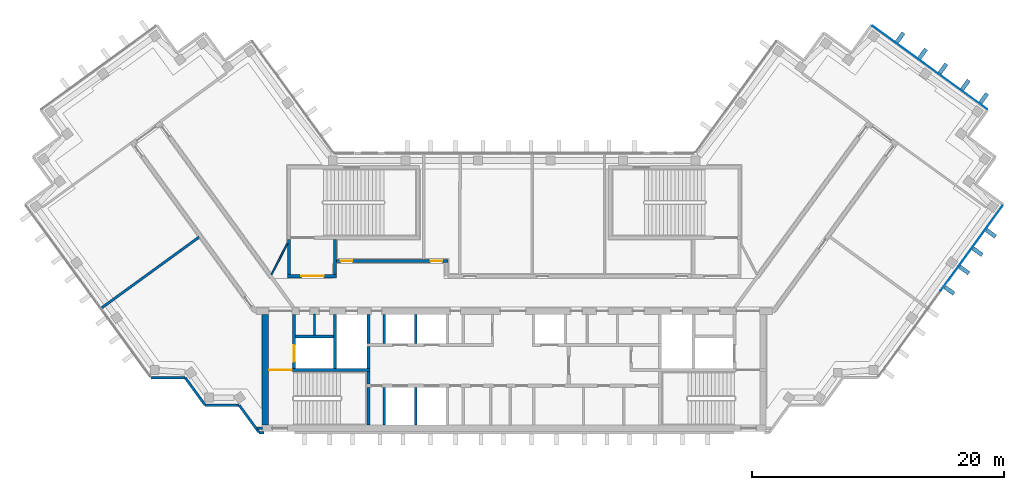
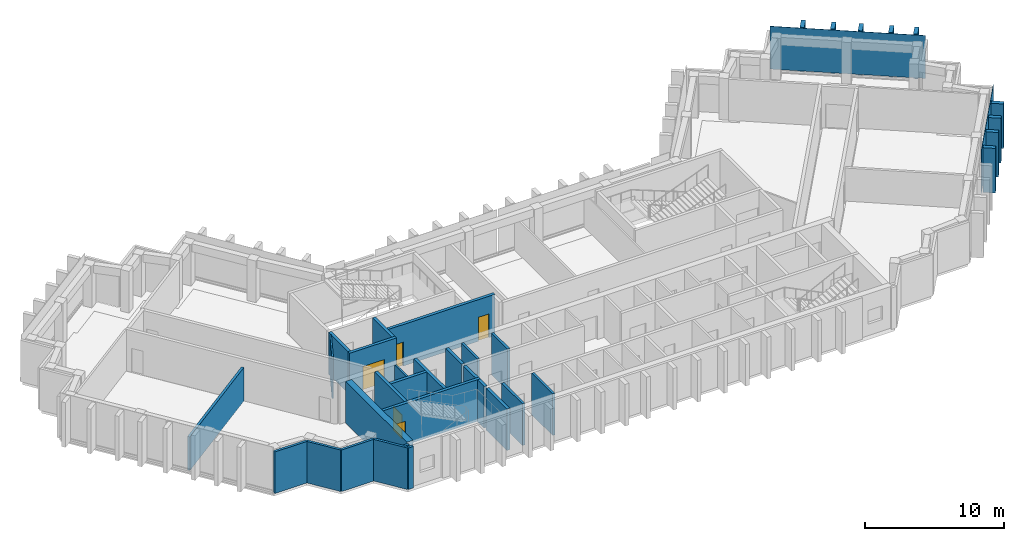
"""IFC4 building model written with IfcOpenShell, lengths in metres."""

import ifcopenshell
import ifcopenshell.guid

model = None  # the IFC model being written
_history = None  # IfcOwnerHistory: only IFC2X3 demands one
_inside = {}  # id of a spatial element -> (the spatial element, [elements in it])
_under = {}  # id of a project, library or spatial element -> (it, [spatial elements below it])
_declared = {}  # id of a project -> (the project, [libraries it declares])
_typed = {}  # id of a type object -> (the type object, [elements of that type])
_made_of = {}  # id of a material, layer set ... -> (it, [elements and type objects made of it])


def new_model(schema):
    """Start an empty IFC model of exactly this schema.

    Asked for "IFC4X3", IfcOpenShell would pick the latest addendum, in which some entities
    have other attributes; the version numbers below select the first issue.
    IFC2X3 requires an IfcOwnerHistory on every rooted entity: one is made here for all.
    """
    global model, _history
    if schema == "IFC4X3":
        model = ifcopenshell.file(schema_version=(4, 3, 0, 0))
    else:
        model = ifcopenshell.file(schema=schema)
    _inside.clear()
    _under.clear()
    _declared.clear()
    _typed.clear()
    _made_of.clear()
    _history = None
    if model.schema == "IFC2X3":
        org = make("IfcOrganization", Name="unknown")
        user = make(
            "IfcPersonAndOrganization",
            ThePerson=make("IfcPerson", FamilyName="unknown"),
            TheOrganization=org,
        )
        app = make(
            "IfcApplication",
            ApplicationDeveloper=org,
            Version="unknown",
            ApplicationFullName="unknown",
            ApplicationIdentifier="unknown",
        )
        _history = make(
            "IfcOwnerHistory",
            OwningUser=user,
            OwningApplication=app,
            ChangeAction="ADDED",
            CreationDate=0,
        )
    return model


def make(cls, **values):
    """One entity of the class cls with the attributes given. An attribute that is None is left unset."""
    return model.create_entity(
        cls, **{name: value for name, value in values.items() if value is not None}
    )


def rooted(cls, **values):
    """An entity with a GlobalId (a new one), such as an element, a storey or a relation."""
    return make(cls, GlobalId=ifcopenshell.guid.new(), OwnerHistory=_history, **values)


def si_unit(unit_type, name, prefix=None):
    """IfcSIUnit, for example si_unit("LENGTHUNIT", "METRE", prefix="MILLI")."""
    return make("IfcSIUnit", UnitType=unit_type, Prefix=prefix, Name=name)


def assignment(units):
    """IfcUnitAssignment: the units of a project."""
    return None if units is None else make("IfcUnitAssignment", Units=units)


def point(xyz):
    """IfcCartesianPoint."""
    return None if xyz is None else make("IfcCartesianPoint", Coordinates=xyz)


def direction(xyz):
    """IfcDirection."""
    return None if xyz is None else make("IfcDirection", DirectionRatios=xyz)


def frame(location, z_axis=None, x_axis=None):
    """IfcAxis2Placement3D, a coordinate frame: its origin and axes. An axis left out is left unset."""
    return make(
        "IfcAxis2Placement3D",
        Location=point(location),
        Axis=direction(z_axis),
        RefDirection=direction(x_axis),
    )


def frame_2d(location, x_axis=None):
    """IfcAxis2Placement2D, a coordinate frame in the plane: its origin and x axis."""
    return make(
        "IfcAxis2Placement2D", Location=point(location), RefDirection=direction(x_axis)
    )


def origin():
    """The frame at (0, 0, 0) with its axes left unset."""
    return frame((0.0, 0.0, 0.0))


def origin_2d():
    """The frame at (0, 0) in the plane with its x axis left unset."""
    return frame_2d((0.0, 0.0))


def place(relative_to, where):
    """IfcLocalPlacement: puts the frame where relative to a parent placement (None: the world)."""
    return make(
        "IfcLocalPlacement", PlacementRelTo=relative_to, RelativePlacement=where
    )


def context(
    kind, dimensions, precision=None, world=None, true_north=None, identifier=None
):
    """IfcGeometricRepresentationContext, for example the 3D "Model" context."""
    return make(
        "IfcGeometricRepresentationContext",
        ContextIdentifier=identifier,
        ContextType=kind,
        CoordinateSpaceDimension=dimensions,
        Precision=precision,
        WorldCoordinateSystem=world,
        TrueNorth=true_north,
    )


def subcontext(parent, identifier, kind, view, scale=None):
    """IfcGeometricRepresentationSubContext, for example "Body" below "Model"."""
    return make(
        "IfcGeometricRepresentationSubContext",
        ContextIdentifier=identifier,
        ContextType=kind,
        ParentContext=parent,
        TargetScale=scale,
        TargetView=view,
    )


def project(units=None, contexts=None):
    """IfcProject with its units and contexts."""
    return rooted(
        "IfcProject",
        Name="project",
        RepresentationContexts=contexts,
        UnitsInContext=assignment(units),
    )


def spatial(cls, under=None, at=None, **own):
    """A site, building, storey or space (cls), placed at a placement, below another one or the project."""
    s = rooted(cls, ObjectPlacement=at, **own)
    if under is not None:
        _under.setdefault(under.id(), (under, []))[1].append(s)
    return s


def profile(cls, at=None, kind="AREA", **sizes):
    """A parametric profile (cls). Its sizes go by their IFC names, for example OverallWidth=200.0."""
    return make(cls, ProfileType=kind, Position=at, **sizes)


def rectangle(**sizes):
    """IfcRectangleProfileDef."""
    return profile("IfcRectangleProfileDef", **sizes)


def extrude(swept, where, along, depth):
    """IfcExtrudedAreaSolid: the profile swept, set in the frame where, extruded along a direction by depth."""
    return make(
        "IfcExtrudedAreaSolid",
        SweptArea=swept,
        Position=where,
        ExtrudedDirection=direction(along),
        Depth=depth,
    )


def shape(context_of_items, identifier, shape_type, items):
    """IfcShapeRepresentation: the items that make up one representation, for example the "Body"."""
    return make(
        "IfcShapeRepresentation",
        ContextOfItems=context_of_items,
        RepresentationIdentifier=identifier,
        RepresentationType=shape_type,
        Items=items,
    )


def material(Name=None, Category=None):
    """IfcMaterial."""
    return make("IfcMaterial", Name=Name, Category=Category)


def layer(
    of_material, thickness, ventilated=None, Name=None, Category=None, Priority=None
):
    """IfcMaterialLayer: one layer of a wall or slab, of a material (None: an air gap)."""
    return make(
        "IfcMaterialLayer",
        Material=of_material,
        LayerThickness=thickness,
        IsVentilated=ventilated,
        Name=Name,
        Category=Category,
        Priority=Priority,
    )


def layer_set(layers, Name=None):
    """IfcMaterialLayerSet."""
    return make("IfcMaterialLayerSet", MaterialLayers=layers, LayerSetName=Name)


def made_of(thing, what):
    """Note that an element or type object is made of a material, layer set ...; save() writes the relation."""
    if what is not None:
        _made_of.setdefault(what.id(), (what, []))[1].append(thing)
    return thing


def type_object(cls, material=None, **own):
    """A type object (cls), such as IfcWallType, which elements share."""
    return made_of(rooted(cls, **own), material)


def element(
    cls,
    number,
    at=None,
    inside=None,
    cuts=None,
    type_object=None,
    material=None,
    context=None,
    identifier="Body",
    shape_type=None,
    held_by="IfcProductDefinitionShape",
    body=None,
    shapes=None,
    **own,
):
    """One element of the class cls, such as IfcWall. Its Tag is "e" and its number.

    at: its placement. inside: the storey or other place that contains it. cuts: it is an
    opening in that element (IfcRelVoidsElement). A single representation is given by context,
    identifier, shape_type and body (its items); several are given by shapes. held_by: the class
    of the entity that holds the representations. save() writes the other relations.
    """
    e = rooted(cls, Tag="e%d" % number, ObjectPlacement=at, **own)
    if body is not None:
        shapes = [shape(context, identifier, shape_type, body)]
    if shapes is not None:
        e.Representation = make(held_by, Representations=shapes)
    if inside is not None:
        _inside.setdefault(inside.id(), (inside, []))[1].append(e)
    if cuts is not None:
        rooted(
            "IfcRelVoidsElement", RelatingBuildingElement=cuts, RelatedOpeningElement=e
        )
    if type_object is not None:
        _typed.setdefault(type_object.id(), (type_object, []))[1].append(e)
    return made_of(e, material)


def fill(opening, filler):
    """IfcRelFillsElement: the door or window that sits in an opening."""
    return rooted(
        "IfcRelFillsElement",
        RelatingOpeningElement=opening,
        RelatedBuildingElement=filler,
    )


def aggregate(whole, parts):
    """IfcRelAggregates: a whole, such as a stair, and the parts it consists of."""
    return rooted("IfcRelAggregates", RelatingObject=whole, RelatedObjects=parts)


def save(model, path):
    """Write the relations noted so far, then the file.

    IfcRelAggregates (storeys below a building ...), IfcRelContainedInSpatialStructure (elements
    in a storey), IfcRelDefinesByType, IfcRelAssociatesMaterial and IfcRelDeclares: one each for
    every whole, place, type object, material and project.
    """
    for whole, parts in _under.values():
        aggregate(whole, parts)
    for where, things in _inside.values():
        rooted(
            "IfcRelContainedInSpatialStructure",
            RelatedElements=things,
            RelatingStructure=where,
        )
    for kind, things in _typed.values():
        rooted("IfcRelDefinesByType", RelatedObjects=things, RelatingType=kind)
    for what, things in _made_of.values():
        rooted("IfcRelAssociatesMaterial", RelatedObjects=things, RelatingMaterial=what)
    for by, libraries in _declared.values():
        rooted("IfcRelDeclares", RelatingContext=by, RelatedDefinitions=libraries)
    model.write(path)


model = new_model("IFC4")

# Units and contexts
model_context = context("Model", 3, precision=1e-05, world=origin(), true_north=direction((0.0, 1.0)))
body_context = subcontext(model_context, "Body", "Model", "MODEL_VIEW")
ifc_project = project(units=[si_unit("LENGTHUNIT", "METRE"), si_unit("AREAUNIT", "SQUARE_METRE"), si_unit("VOLUMEUNIT", "CUBIC_METRE"), si_unit("PLANEANGLEUNIT", "RADIAN"), si_unit("MASSUNIT", "GRAM", prefix="KILO")], contexts=[model_context])

# Site, building, storey
site_placement = place(None, origin())
site = spatial("IfcSite", under=ifc_project, at=site_placement, CompositionType="ELEMENT")
building_placement = place(site_placement, origin())
building = spatial("IfcBuilding", under=site, at=building_placement, Name="Quipu Civic Tower", CompositionType="ELEMENT")
storey_1_placement = place(building_placement, frame((0.0, 0.0, 327.0)))
storey_1 = spatial("IfcBuildingStorey", under=building, at=storey_1_placement, Name="L76", CompositionType="ELEMENT", Elevation=327.0)

# Curtain wall
ifc_material_1 = material(Name="Insulated glass unit", Category="glass")
curtain_wall_type = type_object("IfcCurtainWallType", Name="Office curtain wall CW1", PredefinedType="NOTDEFINED", material=ifc_material_1)
curtain_wall_1_placement = place(storey_1_placement, origin())
curtain_wall_1 = element("IfcCurtainWall", 1, at=curtain_wall_1_placement, inside=storey_1, type_object=curtain_wall_type, Name="Office curtain wall CW1 L75 run 4", PredefinedType="NOTDEFINED")

# Storey
storey_2_placement = place(building_placement, frame((0.0, 0.0, 331.0)))
storey_2 = spatial("IfcBuildingStorey", under=building, at=storey_2_placement, Name="L77", CompositionType="ELEMENT", Elevation=331.0)

# Plate
ifc_material_2 = material(Name="Insulated glass unit", Category="glass")
ifc_layer_1 = layer(ifc_material_2, 0.028076171875)
ifc_layer_set_1 = layer_set([ifc_layer_1], Name="Insulated glass unit")
plate_type_1 = type_object("IfcPlateType", Name="Glass panel CW1", PredefinedType="CURTAIN_PANEL", material=ifc_layer_set_1)
plate_1_placement = place(storey_2_placement, frame((36.292724609375, 3.54052734375, 0.16015625), z_axis=(0.0, 0.0, 1.0), x_axis=(0.587786237643, 0.809016278475, 0.0)))
plate_1 = element("IfcPlate", 2, at=plate_1_placement, inside=storey_2, type_object=plate_type_1, Name="CW1 panel 2.3", PredefinedType="CURTAIN_PANEL", context=body_context, shape_type="SweptSolid", body=[
    extrude(rectangle(XDim=8.35791015625, YDim=0.028076171875, at=origin_2d()), origin(), (0.0, 0.0, 1.0), 3.760009765625),
])

aggregate(curtain_wall_1, [plate_1])

# Storey
storey_3_placement = place(building_placement, frame((0.0, 0.0, 335.0)))
storey_3 = spatial("IfcBuildingStorey", under=building, at=storey_3_placement, Name="L78", CompositionType="ELEMENT", Elevation=335.0)

# Curtain wall, plate
curtain_wall_2_placement = place(storey_3_placement, origin())
curtain_wall_2 = element("IfcCurtainWall", 3, at=curtain_wall_2_placement, inside=storey_3, type_object=curtain_wall_type, Name="Office curtain wall CW1 L77 run 21", PredefinedType="NOTDEFINED")
plate_2_placement = place(storey_2_placement, frame((32.989990234375, 17.87939453125, 0.240234375), z_axis=(0.0, 0.0, 1.0), x_axis=(-0.809015176832, 0.587787753918, 0.0)))
plate_2 = element("IfcPlate", 4, at=plate_2_placement, inside=storey_2, type_object=plate_type_1, Name="CW1 panel 1.1", PredefinedType="CURTAIN_PANEL", context=body_context, shape_type="SweptSolid", body=[
    extrude(rectangle(XDim=11.239990234375, YDim=0.028076171875, at=origin_2d()), origin(), (0.0, 0.0, 1.0), 3.760009765625),
])
aggregate(curtain_wall_2, [plate_2])

# Plates
ifc_material_3 = material(Name="Precast concrete C40/50", Category="concrete")
plate_type_2 = type_object("IfcPlateType", Name="Precast fin F3", PredefinedType="SHEET", material=ifc_material_3)
for number, where, z_axis, x_axis, name in (
    (5, (34.541748046875, 0.195068359375, 0.080078125), (0.0, 0.0, 1.0), (0.587786668783, 0.809015965233, 0.0), "Precast fin F3 L77.P04.5"),
    (6, (35.717529296875, 1.81298828125, 0.080078125), (0.0, 0.0, 1.0), (0.587786668783, 0.809015965233, 0.0), "Precast fin F3 L77.P04.6"),
    (7, (36.775390625, 3.269287109375, 0.080078125), (0.0, 0.0, 1.0), (0.587786668783, 0.809015965233, 0.0), "Precast fin F3 L77.P04.7"),
    (8, (37.83349609375, 4.725341796875, 0.080078125), (0.0, 0.0, 1.0), (0.587786668783, 0.809015965233, 0.0), "Precast fin F3 L77.P04.8"),
    (9, (37.26953125, 15.449951171875, 0.080078125), (0.0, 0.0, 1.0), (-0.809017072762, 0.587785144401, 0.0), "Precast fin F3 L77.21.1"),
    (10, (35.813232421875, 16.508056640625, 0.080078125), (0.0, 0.0, 1.0), (-0.809017072762, 0.587785144401, 0.0), "Precast fin F3 L77.21.2"),
    (11, (34.033447265625, 17.801025390625, 0.080078125), (0.0, 0.0, 1.0), (-0.809017072762, 0.587785144401, 0.0), "Precast fin F3 L77.21.3"),
    (12, (32.415283203125, 18.976806640625, 0.080078125), (0.0, 0.0, 1.0), (-0.809017072762, 0.587785144401, 0.0), "Precast fin F3 L77.21.4"),
    (13, (30.635498046875, 20.269775390625, 0.080078125), (0.0, 0.0, 1.0), (-0.809017072762, 0.587785144401, 0.0), "Precast fin F3 L77.21.5"),
):
    element("IfcPlate", number, at=place(storey_2_placement, frame(where, z_axis=z_axis, x_axis=x_axis)), inside=storey_2, type_object=plate_type_2, Name=name, PredefinedType="SHEET", context=body_context, shape_type="SweptSolid", body=[
        extrude(rectangle(XDim=0.320068359375, YDim=0.89990234375, at=origin_2d()), origin(), (0.0, 0.0, 1.0), 3.919921875),
    ])

# Walls
ifc_material_4 = material(Name="Fired clay blockwork", Category="masonry")
ifc_layer_2 = layer(ifc_material_4, 0.199951171875)
ifc_layer_set_2 = layer_set([ifc_layer_2], Name="Fired clay blockwork")
wall_type_1 = type_object("IfcWallType", Name="Blockwork wall 200", PredefinedType="SOLIDWALL", material=ifc_layer_set_2)
wall_1_placement = place(storey_2_placement, frame((-25.00830078125, 4.4267578125, 0.0), z_axis=(0.0, 0.0, 1.0), x_axis=(-0.808994684961, -0.587815957341, 0.0)))
element("IfcWall", 14, at=wall_1_placement, inside=storey_2, type_object=wall_type_1, Name="Partition P09", PredefinedType="SOLIDWALL", context=body_context, shape_type="SweptSolid", body=[
    extrude(rectangle(XDim=9.55029296875, YDim=0.199951171875, at=frame_2d((4.775146484375, 0.0))), origin(), (0.0, 0.0, 1.0), 2.949951171875),
])
ifc_material_5 = material(Name="Concrete C70/85", Category="concrete")
ifc_layer_3 = layer(ifc_material_5, 0.25)
ifc_layer_set_3 = layer_set([ifc_layer_3], Name="Concrete C70/85")
wall_type_2 = type_object("IfcWallType", Name="Core wall 250", PredefinedType="SHEAR", material=ifc_layer_set_3)
wall_2_placement = place(storey_2_placement, frame((-11.574951171875, -10.5, 0.0), z_axis=(0.0, 0.0, 1.0), x_axis=(0.0, 1.0, 0.0)))
element("IfcWall", 15, at=wall_2_placement, inside=storey_2, type_object=wall_type_2, Name="Core wall", PredefinedType="SHEAR", context=body_context, shape_type="SweptSolid", body=[
    extrude(rectangle(XDim=3.0, YDim=0.25, at=frame_2d((1.5, 0.0))), origin(), (0.0, 0.0, 1.0), 3.64990234375),
])
wall_3_placement = place(storey_2_placement, frame((-11.574951171875, -7.25, 0.0), z_axis=(0.0, 0.0, 1.0), x_axis=(0.0, 1.0, 0.0)))
element("IfcWall", 16, at=wall_3_placement, inside=storey_2, type_object=wall_type_2, Name="Core wall", PredefinedType="SHEAR", context=body_context, shape_type="SweptSolid", body=[
    extrude(rectangle(XDim=1.0, YDim=0.25, at=frame_2d((0.5, 0.0))), origin(), (0.0, 0.0, 1.0), 3.64990234375),
])

# Wall, opening, door
wall_4_placement = place(storey_2_placement, frame((-11.449951171875, -6.125, 0.0), z_axis=(0.0, 0.0, 1.0), x_axis=(-1.0, 0.0, 0.0)))
wall_4 = element("IfcWall", 17, at=wall_4_placement, inside=storey_2, type_object=wall_type_2, Name="Core wall", PredefinedType="SHEAR", context=body_context, shape_type="SweptSolid", body=[
    extrude(rectangle(XDim=8.050048828125, YDim=0.25, at=frame_2d((4.02490234375, 0.0))), origin(), (0.0, 0.0, 1.0), 3.64990234375),
])
opening_1_placement = place(wall_4_placement, frame((6.199951171875, 0.0, 0.0)))
opening_1 = element("IfcOpeningElement", 18, at=opening_1_placement, cuts=wall_4, Name="Opening CD-09", PredefinedType="OPENING", context=body_context, shape_type="SweptSolid", body=[
    extrude(rectangle(XDim=1.800048828125, YDim=2.10009765625, at=frame_2d((0.89990234375, 1.050048828125))), frame((0.0, 0.135009765625, 0.0), z_axis=(0.0, -1.0, 0.0), x_axis=(1.0, 0.0, 0.0)), (0.0, 0.0, 1.0), 0.27001953125),
])
ifc_material_6 = material(Name="Fire rated steel door", Category="steel")
door_type_1 = type_object("IfcDoorType", Name="Fire door FD90 double 1800 x 2100", OperationType="NOTDEFINED", PredefinedType="DOOR", material=ifc_material_6)
door_1_placement = place(opening_1_placement, origin())
door_1 = element("IfcDoor", 19, at=door_1_placement, inside=storey_2, type_object=door_type_1, Name="Door", OperationType="DOUBLE_DOOR_SINGLE_SWING", OverallHeight=2.10009765625, OverallWidth=1.800048828125, PredefinedType="DOOR", context=body_context, shape_type="SweptSolid", body=[
    extrude(rectangle(XDim=1.800048828125, YDim=2.10009765625, at=frame_2d((0.89990234375, 1.050048828125))), frame((0.0, 0.02490234375, 0.0), z_axis=(0.0, -1.0, 0.0), x_axis=(1.0, 0.0, 0.0)), (0.0, 0.0, 1.0), 0.050048828125),
])
fill(opening_1, door_1)

wall_5_placement = place(storey_2_placement, frame((-17.47509765625, -6.0, 0.0), z_axis=(0.0, 0.0, 1.0), x_axis=(0.0, 1.0, 0.0)))
wall_5 = element("IfcWall", 20, at=wall_5_placement, inside=storey_2, type_object=wall_type_2, Name="Core wall", PredefinedType="SHEAR", context=body_context, shape_type="SweptSolid", body=[
    extrude(rectangle(XDim=4.300048828125, YDim=0.25, at=frame_2d((2.14990234375, 0.0))), origin(), (0.0, 0.0, 1.0), 3.64990234375),
])
opening_2_placement = place(wall_5_placement, frame((0.550048828125, 0.0, 0.0)))
opening_2 = element("IfcOpeningElement", 21, at=opening_2_placement, cuts=wall_5, Name="Opening LD-FF1", PredefinedType="OPENING", context=body_context, shape_type="SweptSolid", body=[
    extrude(rectangle(XDim=1.300048828125, YDim=2.10009765625, at=frame_2d((0.64990234375, 1.050048828125))), frame((0.0, 0.135009765625, 0.0), z_axis=(0.0, -1.0, 0.0), x_axis=(1.0, 0.0, 0.0)), (0.0, 0.0, 1.0), 0.27001953125),
])
ifc_material_7 = material(Name="Stainless steel", Category="steel")
door_type_2 = type_object("IfcDoorType", Name="Lift landing door 1300 x 2100", OperationType="DOUBLE_DOOR_SLIDING", PredefinedType="DOOR", material=ifc_material_7)
door_2_placement = place(opening_2_placement, origin())
door_2 = element("IfcDoor", 22, at=door_2_placement, inside=storey_2, type_object=door_type_2, Name="Landing door FF1", OperationType="DOUBLE_DOOR_SLIDING", OverallHeight=2.10009765625, OverallWidth=1.300048828125, PredefinedType="DOOR", context=body_context, shape_type="SweptSolid", body=[
    extrude(rectangle(XDim=1.300048828125, YDim=2.10009765625, at=frame_2d((0.64990234375, 1.050048828125))), frame((0.0, 0.02490234375, 0.0), z_axis=(0.0, -1.0, 0.0), x_axis=(1.0, 0.0, 0.0)), (0.0, 0.0, 1.0), 0.050048828125),
])
fill(opening_2, door_2)

# Walls
wall_6_placement = place(storey_2_placement, frame((-14.22509765625, -6.0, 0.0), z_axis=(0.0, 0.0, 1.0), x_axis=(0.0, 1.0, 0.0)))
element("IfcWall", 23, at=wall_6_placement, inside=storey_2, type_object=wall_type_2, Name="Core wall", PredefinedType="SHEAR", context=body_context, shape_type="SweptSolid", body=[
    extrude(rectangle(XDim=4.300048828125, YDim=0.25, at=frame_2d((2.14990234375, 0.0))), origin(), (0.0, 0.0, 1.0), 3.64990234375),
])
wall_7_placement = place(storey_2_placement, frame((-11.574951171875, -6.0, 0.0), z_axis=(0.0, 0.0, 1.0), x_axis=(0.0, 1.0, 0.0)))
element("IfcWall", 24, at=wall_7_placement, inside=storey_2, type_object=wall_type_2, Name="Core wall", PredefinedType="SHEAR", context=body_context, shape_type="SweptSolid", body=[
    extrude(rectangle(XDim=1.75, YDim=0.25, at=frame_2d((0.875, 0.0))), origin(), (0.0, 0.0, 1.0), 3.64990234375),
])
wall_8_placement = place(storey_2_placement, frame((-11.574951171875, -4.0, 0.0), z_axis=(0.0, 0.0, 1.0), x_axis=(0.0, 1.0, 0.0)))
element("IfcWall", 25, at=wall_8_placement, inside=storey_2, type_object=wall_type_2, Name="Core wall", PredefinedType="SHEAR", context=body_context, shape_type="SweptSolid", body=[
    extrude(rectangle(XDim=2.300048828125, YDim=0.25, at=frame_2d((1.14990234375, 0.0))), origin(), (0.0, 0.0, 1.0), 3.64990234375),
])
wall_9_placement = place(storey_2_placement, frame((-17.35009765625, -3.47509765625, 0.0), z_axis=(0.0, 0.0, 1.0), x_axis=(1.0, 0.0, 0.0)))
element("IfcWall", 26, at=wall_9_placement, inside=storey_2, type_object=wall_type_2, Name="Core wall", PredefinedType="SHEAR", context=body_context, shape_type="SweptSolid", body=[
    extrude(rectangle(XDim=3.0, YDim=0.25, at=frame_2d((1.5, 0.0))), origin(), (0.0, 0.0, 1.0), 3.64990234375),
])

# Wall, opening, door
wall_10_placement = place(storey_2_placement, frame((-18.0, 1.324951171875, 0.0), z_axis=(0.0, 0.0, 1.0), x_axis=(1.0, 0.0, 0.0)))
wall_10 = element("IfcWall", 27, at=wall_10_placement, inside=storey_2, type_object=wall_type_2, Name="Core wall", PredefinedType="SHEAR", context=body_context, shape_type="SweptSolid", body=[
    extrude(rectangle(XDim=3.89990234375, YDim=0.25, at=frame_2d((1.949951171875, 0.0))), origin(), (0.0, 0.0, 1.0), 3.64990234375),
])
opening_3_placement = place(wall_10_placement, frame((1.10009765625, 0.0, 0.0)))
opening_3 = element("IfcOpeningElement", 28, at=opening_3_placement, cuts=wall_10, Name="Opening CD-27", PredefinedType="OPENING", context=body_context, shape_type="SweptSolid", body=[
    extrude(rectangle(XDim=1.800048828125, YDim=2.10009765625, at=frame_2d((0.89990234375, 1.050048828125))), frame((0.0, 0.135009765625, 0.0), z_axis=(0.0, -1.0, 0.0), x_axis=(1.0, 0.0, 0.0)), (0.0, 0.0, 1.0), 0.27001953125),
])
door_3_placement = place(opening_3_placement, origin())
door_3 = element("IfcDoor", 29, at=door_3_placement, inside=storey_2, type_object=door_type_1, Name="Lobby door", OperationType="DOUBLE_DOOR_SINGLE_SWING", OverallHeight=2.10009765625, OverallWidth=1.800048828125, PredefinedType="DOOR", context=body_context, shape_type="SweptSolid", body=[
    extrude(rectangle(XDim=1.800048828125, YDim=2.10009765625, at=frame_2d((0.89990234375, 1.050048828125))), frame((0.0, 0.02490234375, 0.0), z_axis=(0.0, -1.0, 0.0), x_axis=(1.0, 0.0, 0.0)), (0.0, 0.0, 1.0), 0.050048828125),
])
fill(opening_3, door_3)

# Walls
for number, where, z_axis, x_axis, name in (
    (30, (-17.875, 1.449951171875, 0.0), (0.0, 0.0, 1.0), (0.0, 1.0, 0.0), "Core wall"),
    (31, (-14.22509765625, 1.449951171875, 0.0), (0.0, 0.0, 1.0), (0.0, 1.0, 0.0), "Core wall"),
):
    element("IfcWall", number, at=place(storey_2_placement, frame(where, z_axis=z_axis, x_axis=x_axis)), inside=storey_2, type_object=wall_type_2, Name=name, PredefinedType="SHEAR", context=body_context, shape_type="SweptSolid", body=[
        extrude(rectangle(XDim=2.800048828125, YDim=0.25, at=frame_2d((1.39990234375, 0.0))), origin(), (0.0, 0.0, 1.0), 3.64990234375),
    ])
ifc_material_8 = material(Name="Concrete C70/85", Category="concrete")
ifc_layer_4 = layer(ifc_material_8, 0.5)
ifc_layer_set_4 = layer_set([ifc_layer_4], Name="Concrete C70/85")
wall_type_3 = type_object("IfcWallType", Name="Core wall 500", PredefinedType="SHEAR", material=ifc_layer_set_4)
wall_11_placement = place(storey_2_placement, frame((-19.75, -10.5, 0.0), z_axis=(0.0, 0.0, 1.0), x_axis=(0.0, 1.0, 0.0)))
element("IfcWall", 32, at=wall_11_placement, inside=storey_2, type_object=wall_type_3, Name="Core wall", PredefinedType="SHEAR", context=body_context, shape_type="SweptSolid", body=[
    extrude(rectangle(XDim=8.800048828125, YDim=0.5, at=frame_2d((4.39990234375, 0.0))), origin(), (0.0, 0.0, 1.0), 3.64990234375),
])

# Wall, openings, doors
ifc_material_9 = material(Name="Concrete C50/60", Category="concrete")
ifc_layer_5 = layer(ifc_material_9, 0.25)
ifc_layer_set_5 = layer_set([ifc_layer_5], Name="Concrete C50/60")
wall_type_4 = type_object("IfcWallType", Name="Corridor wall 250 concrete", PredefinedType="SOLIDWALL", material=ifc_layer_set_5)
wall_12_placement = place(storey_2_placement, frame((-14.090087890625, 2.52490234375, 0.0), z_axis=(0.0, 0.0, 1.0), x_axis=(1.0, 0.0, 0.0)))
wall_12 = element("IfcWall", 33, at=wall_12_placement, inside=storey_2, type_object=wall_type_4, Name="Corridor wall C07", PredefinedType="SOLIDWALL", context=body_context, shape_type="SweptSolid", body=[
    extrude(rectangle(XDim=8.840087890625, YDim=0.25, at=frame_2d((4.419921875, 0.0))), origin(), (0.0, 0.0, 1.0), 3.64990234375),
])
opening_4_placement = place(wall_12_placement, frame((7.466064453125, 0.0, 0.0)))
opening_4 = element("IfcOpeningElement", 34, at=opening_4_placement, cuts=wall_12, Name="Opening D006", PredefinedType="OPENING", context=body_context, shape_type="SweptSolid", body=[
    extrude(rectangle(XDim=0.89990234375, YDim=2.10009765625, at=frame_2d((0.449951171875, 1.050048828125))), frame((0.0, 0.135009765625, 0.0), z_axis=(0.0, -1.0, 0.0), x_axis=(1.0, 0.0, 0.0)), (0.0, 0.0, 1.0), 0.27001953125),
])
opening_5_placement = place(wall_12_placement, frame((0.340087890625, 0.0, 0.0)))
opening_5 = element("IfcOpeningElement", 35, at=opening_5_placement, cuts=wall_12, Name="Opening D005", PredefinedType="OPENING", context=body_context, shape_type="SweptSolid", body=[
    extrude(rectangle(XDim=0.89990234375, YDim=2.10009765625, at=frame_2d((0.449951171875, 1.050048828125))), frame((0.0, 0.135009765625, 0.0), z_axis=(0.0, -1.0, 0.0), x_axis=(1.0, 0.0, 0.0)), (0.0, 0.0, 1.0), 0.27001953125),
])
ifc_material_10 = material(Name="Fire rated timber door set with metal frame", Category="wood")
door_type_3 = type_object("IfcDoorType", Name="Single door 900 x 2100 FD60", OperationType="NOTDEFINED", PredefinedType="DOOR", material=ifc_material_10)
door_4_placement = place(opening_4_placement, origin())
door_4 = element("IfcDoor", 36, at=door_4_placement, inside=storey_2, type_object=door_type_3, Name="Door D006", OperationType="SINGLE_SWING_RIGHT", OverallHeight=2.10009765625, OverallWidth=0.89990234375, PredefinedType="DOOR", context=body_context, shape_type="SweptSolid", body=[
    extrude(rectangle(XDim=0.89990234375, YDim=2.10009765625, at=frame_2d((0.449951171875, 1.050048828125))), frame((0.0, 0.02490234375, 0.0), z_axis=(0.0, -1.0, 0.0), x_axis=(1.0, 0.0, 0.0)), (0.0, 0.0, 1.0), 0.050048828125),
])
fill(opening_4, door_4)
door_5_placement = place(opening_5_placement, origin())
door_5 = element("IfcDoor", 37, at=door_5_placement, inside=storey_2, type_object=door_type_3, Name="Door D005", OperationType="SINGLE_SWING_LEFT", OverallHeight=2.10009765625, OverallWidth=0.89990234375, PredefinedType="DOOR", context=body_context, shape_type="SweptSolid", body=[
    extrude(rectangle(XDim=0.89990234375, YDim=2.10009765625, at=frame_2d((0.449951171875, 1.050048828125))), frame((0.0, 0.02490234375, 0.0), z_axis=(0.0, -1.0, 0.0), x_axis=(1.0, 0.0, 0.0)), (0.0, 0.0, 1.0), 0.050048828125),
])
fill(opening_5, door_5)

# Walls
ifc_material_11 = material(Name="Gypsum plasterboard on light gauge framing")
ifc_layer_6 = layer(ifc_material_11, 0.1201171875)
ifc_layer_set_6 = layer_set([ifc_layer_6], Name="Gypsum plasterboard on light gauge framing")
wall_type_5 = type_object("IfcWallType", Name="Partition 120 plasterboard", PredefinedType="PARTITIONING", material=ifc_layer_set_6)
wall_13_placement = place(storey_2_placement, frame((-19.260986328125, 1.449951171875, 0.0), z_axis=(0.0, 0.0, 1.0), x_axis=(0.453950796792, 0.891026752736, 0.0)))
element("IfcWall", 38, at=wall_13_placement, inside=storey_2, type_object=wall_type_5, Name="Partition P12", PredefinedType="PARTITIONING", context=body_context, shape_type="SweptSolid", body=[
    extrude(rectangle(XDim=2.77783203125, YDim=0.1201171875, at=frame_2d((1.388916015625, 0.0))), origin(), (0.0, 0.0, 1.0), 3.64990234375),
])
ifc_material_12 = material(Name="Gypsum board partition")
ifc_layer_7 = layer(ifc_material_12, 0.14990234375)
ifc_layer_set_7 = layer_set([ifc_layer_7], Name="Gypsum board partition")
wall_type_6 = type_object("IfcWallType", Name="Partition 150", PredefinedType="PARTITIONING", material=ifc_layer_set_7)
wall_14_placement = place(storey_2_placement, frame((-15.85009765625, -3.35009765625, 0.0), z_axis=(0.0, 0.0, 1.0), x_axis=(0.0, 1.0, 0.0)))
element("IfcWall", 39, at=wall_14_placement, inside=storey_2, type_object=wall_type_6, Name="Partition", PredefinedType="PARTITIONING", context=body_context, shape_type="SweptSolid", body=[
    extrude(rectangle(XDim=1.650146484375, YDim=0.14990234375, at=frame_2d((0.8251953125, 0.0))), origin(), (0.0, 0.0, 1.0), 3.64990234375),
])
ifc_material_13 = material(Name="Precast concrete C40/50", Category="concrete")
wall_type_7 = type_object("IfcWallType", Name="Precast cladding wall", PredefinedType="SOLIDWALL", material=ifc_material_13)
wall_15_placement = place(storey_2_placement, frame((-28.829833984375, -6.71923828125, 0.0), z_axis=(0.0, 0.0, 1.0), x_axis=(1.0, 0.0, 0.0)))
element("IfcWall", 40, at=wall_15_placement, inside=storey_2, type_object=wall_type_7, Name="Precast cladding wall L77 12", PredefinedType="SOLIDWALL", context=body_context, shape_type="SweptSolid", body=[
    extrude(rectangle(XDim=2.699951171875, YDim=0.199951171875, at=frame_2d((1.35009765625, 0.0))), origin(), (0.0, 0.0, 1.0), 3.64990234375),
])
wall_16_placement = place(storey_2_placement, frame((-26.1201171875, -6.72412109375, 0.0), z_axis=(0.0, 0.0, 1.0), x_axis=(0.587720002413, -0.809064397168, 0.0)))
element("IfcWall", 41, at=wall_16_placement, inside=storey_2, type_object=wall_type_7, Name="Precast cladding wall L77 13", PredefinedType="SOLIDWALL", context=body_context, shape_type="SweptSolid", body=[
    extrude(rectangle(XDim=2.7001953125, YDim=0.199951171875, at=frame_2d((1.35009765625, 0.0))), origin(), (0.0, 0.0, 1.0), 3.64990234375),
])
wall_17_placement = place(storey_2_placement, frame((-24.542724609375, -8.90380859375, 0.0), z_axis=(0.0, 0.0, 1.0), x_axis=(1.0, 0.0, 0.0)))
element("IfcWall", 42, at=wall_17_placement, inside=storey_2, type_object=wall_type_7, Name="Precast cladding wall L77 14", PredefinedType="SOLIDWALL", context=body_context, shape_type="SweptSolid", body=[
    extrude(rectangle(XDim=2.699951171875, YDim=0.199951171875, at=frame_2d((1.35009765625, 0.0))), origin(), (0.0, 0.0, 1.0), 3.64990234375),
])
wall_18_placement = place(storey_2_placement, frame((-21.8330078125, -8.90869140625, 0.0), z_axis=(0.0, 0.0, 1.0), x_axis=(0.587766567315, -0.809030569476, 0.0)))
element("IfcWall", 43, at=wall_18_placement, inside=storey_2, type_object=wall_type_7, Name="Precast cladding wall L77 15", PredefinedType="SOLIDWALL", context=body_context, shape_type="SweptSolid", body=[
    extrude(rectangle(XDim=2.687744140625, YDim=0.199951171875, at=frame_2d((1.34375, 0.0))), origin(), (0.0, 0.0, 1.0), 3.64990234375),
])
wall_19_placement = place(storey_2_placement, frame((-20.255859375, -11.087890625, 0.0), z_axis=(0.0, 0.0, 1.0), x_axis=(1.0, 0.0, 0.0)))
element("IfcWall", 44, at=wall_19_placement, inside=storey_2, type_object=wall_type_7, Name="Precast cladding wall L77 16", PredefinedType="SOLIDWALL", context=body_context, shape_type="SweptSolid", body=[
    extrude(rectangle(XDim=0.40576171875, YDim=0.199951171875, at=frame_2d((0.202880859375, 0.0))), origin(), (0.0, 0.0, 1.0), 3.64990234375),
])
wall_20_placement = place(storey_2_placement, frame((-19.97998046875, -10.75, 0.0), z_axis=(0.0, 0.0, 1.0), x_axis=(-1.0, 0.0, 0.0)))
element("IfcWall", 45, at=wall_20_placement, inside=storey_2, type_object=wall_type_7, Name="Precast cladding return L77 W", PredefinedType="SOLIDWALL", context=body_context, shape_type="SweptSolid", body=[
    extrude(rectangle(XDim=0.41650390625, YDim=0.199951171875, at=frame_2d((0.208251953125, 0.0))), origin(), (0.0, 0.0, 1.0), 3.64990234375),
])
ifc_material_14 = material(Name="Concrete C40/50", Category="concrete")
ifc_layer_8 = layer(ifc_material_14, 0.199951171875)
ifc_layer_set_8 = layer_set([ifc_layer_8], Name="Concrete C40/50")
wall_type_8 = type_object("IfcWallType", Name="Shaft wall 200", PredefinedType="SOLIDWALL", material=ifc_layer_set_8)
for number, where, z_axis, x_axis, name in (
    (46, (-10.300048828125, -10.5, 0.0), (0.0, 0.0, 1.0), (0.0, 1.0, 0.0), "Shaft wall"),
    (47, (-7.800048828125, -10.5, 0.0), (0.0, 0.0, 1.0), (0.0, 1.0, 0.0), "Shaft wall"),
):
    element("IfcWall", number, at=place(storey_2_placement, frame(where, z_axis=z_axis, x_axis=x_axis)), inside=storey_2, type_object=wall_type_8, Name=name, PredefinedType="SOLIDWALL", context=body_context, shape_type="SweptSolid", body=[
        extrude(rectangle(XDim=3.0, YDim=0.199951171875, at=frame_2d((1.5, 0.0))), origin(), (0.0, 0.0, 1.0), 3.64990234375),
    ])
for number, where, z_axis, x_axis, name in (
    (48, (-10.300048828125, -4.0, 0.0), (0.0, 0.0, 1.0), (0.0, 1.0, 0.0), "Shaft wall"),
    (49, (-7.800048828125, -4.0, 0.0), (0.0, 0.0, 1.0), (0.0, 1.0, 0.0), "Shaft wall"),
):
    element("IfcWall", number, at=place(storey_2_placement, frame(where, z_axis=z_axis, x_axis=x_axis)), inside=storey_2, type_object=wall_type_8, Name=name, PredefinedType="SOLIDWALL", context=body_context, shape_type="SweptSolid", body=[
        extrude(rectangle(XDim=2.300048828125, YDim=0.199951171875, at=frame_2d((1.14990234375, 0.0))), origin(), (0.0, 0.0, 1.0), 3.64990234375),
    ])

save(model, "model.ifc")
